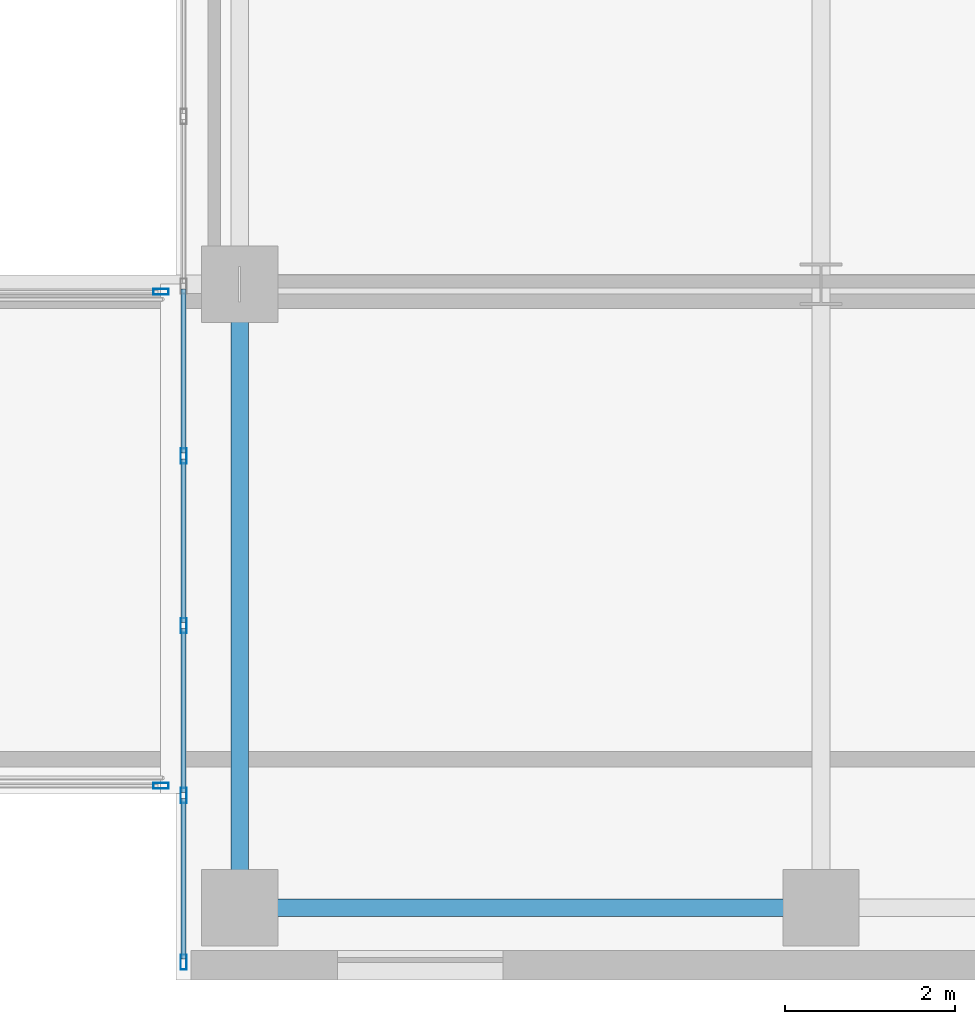
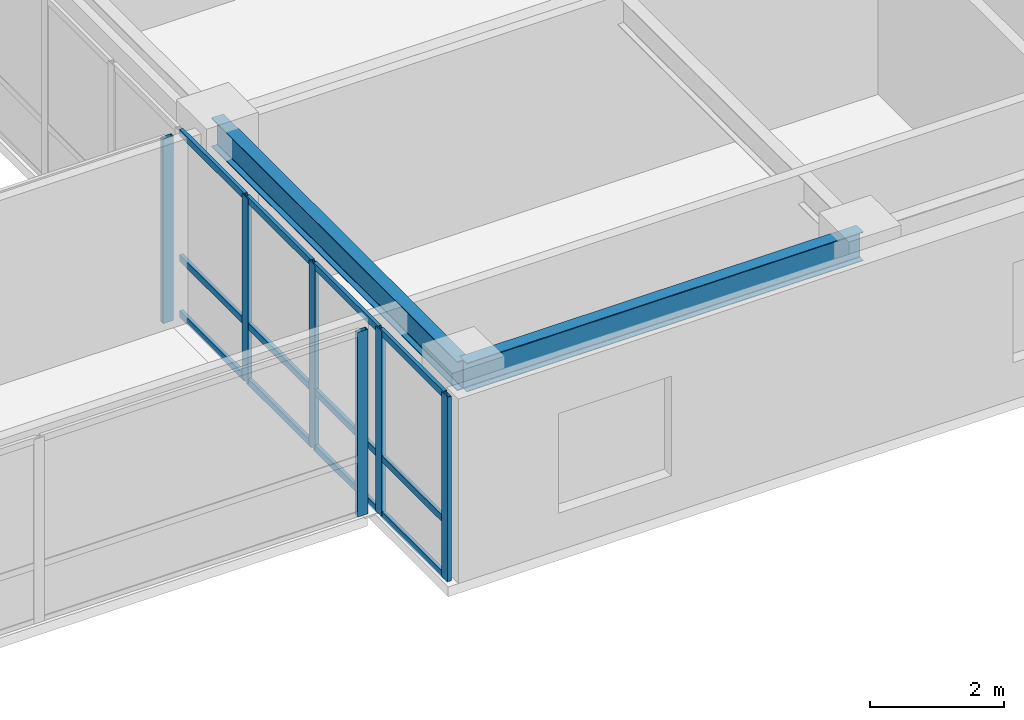
# One storey, part 5 of 25: 18 members, 2 beams, 3 elements without a shape of their own.
"""IFC4 building model written with IfcOpenShell, lengths in metres."""

from ifc_helpers import new_model, si_unit, direction, frame, origin, origin_2d, place, context, subcontext, project, spatial, hollow_rectangle, i_section, extrude, source, transform, mapped, material, layer, layer_set, material_profile, profile_set, type_object, type_shapes, element, aggregate, save


model = new_model("IFC4")

# Units and contexts
model_context = context("Model", 3, precision=1e-05, world=origin(), true_north=direction((0.0, 1.0)))
body_context = subcontext(model_context, "Body", "Model", "MODEL_VIEW")
ifc_project = project(units=[si_unit("LENGTHUNIT", "METRE"), si_unit("AREAUNIT", "SQUARE_METRE"), si_unit("VOLUMEUNIT", "CUBIC_METRE"), si_unit("PLANEANGLEUNIT", "RADIAN"), si_unit("MASSUNIT", "GRAM", prefix="KILO")], contexts=[model_context])

# Site, building, storey
site_placement = place(None, origin())
site = spatial("IfcSite", under=ifc_project, at=site_placement, CompositionType="ELEMENT")
building_placement = place(site_placement, origin())
building = spatial("IfcBuilding", under=site, at=building_placement, Name="Tolvann Quenvar Hotel", CompositionType="ELEMENT")
storey_placement = place(building_placement, frame((0.0, 0.0, 78.14990234375)))
storey = spatial("IfcBuildingStorey", under=building, at=storey_placement, Name="L19", CompositionType="ELEMENT", Elevation=78.14990234375)

# Beams
ifc_material_1 = material(Name="Steel Grade 350", Category="steel")
ifc_material_profile_1 = material_profile(ifc_material_1, i_section(OverallWidth=0.208984375, OverallDepth=0.528076171875, WebThickness=0.009521484375, FlangeThickness=0.01318359375, FilletRadius=0.013916015625, at=origin_2d()), Name="530UB82")
ifc_profile_set_1 = profile_set([ifc_material_profile_1], Name="Steel Grade 350")
beam_type_1 = type_object("IfcBeamType", Name="BM_SPAND_530UB82", PredefinedType="SPANDREL", material=ifc_profile_set_1)
shared_shape_1 = source(origin(), body_context, "Body", "SweptSolid", [
    extrude(i_section(OverallWidth=0.208984375, OverallDepth=0.528076171875, WebThickness=0.009521484375, FlangeThickness=0.01318359375, FilletRadius=0.013916015625, at=origin_2d()), origin(), (0.0, 0.0, 1.0), 6.85009765625),
])
type_shapes(beam_type_1, [shared_shape_1])
beam_1_placement = place(storey_placement, frame((34.949951171875, 0.85009765625, 3.106201171875), z_axis=(1.0, 0.0, 0.0), x_axis=(0.0, 1.0, 0.0)))
element("IfcBeam", 1, at=beam_1_placement, inside=storey, type_object=beam_type_1, Name="BM-L19-EW-2-F2-H2", PredefinedType="SPANDREL", context=body_context, shape_type="MappedRepresentation", body=[
    mapped(shared_shape_1, transform((0.0, 0.0, 0.0), x_axis=(1.0, 0.0, 0.0), y_axis=(0.0, 1.0, 0.0), z_axis=(0.0, 0.0, 1.0), scale=1.0)),
])
ifc_material_profile_2 = material_profile(ifc_material_1, i_section(OverallWidth=0.208984375, OverallDepth=0.532958984375, WebThickness=0.01025390625, FlangeThickness=0.015625, FilletRadius=0.013916015625, at=origin_2d()), Name="530UB92")
ifc_profile_set_2 = profile_set([ifc_material_profile_2], Name="Steel Grade 350")
beam_type_2 = type_object("IfcBeamType", Name="BM_GIRD_530UB92", PredefinedType="BEAM", material=ifc_profile_set_2)
shared_shape_2 = source(origin(), body_context, "Body", "SweptSolid", [
    extrude(i_section(OverallWidth=0.208984375, OverallDepth=0.532958984375, WebThickness=0.01025390625, FlangeThickness=0.015625, FilletRadius=0.013916015625, at=origin_2d()), origin(), (0.0, 0.0, 1.0), 7.349853515625),
])
type_shapes(beam_type_2, [shared_shape_2])
beam_2_placement = place(storey_placement, frame((34.949951171875, 0.85009765625, 3.103515625), z_axis=(0.0, 1.0, 0.0), x_axis=(-1.0, 0.0, 0.0)))
element("IfcBeam", 2, at=beam_2_placement, inside=storey, type_object=beam_type_2, Name="BM-L19-NS-F2-F3", PredefinedType="BEAM", context=body_context, shape_type="MappedRepresentation", body=[
    mapped(shared_shape_2, transform((0.0, 0.0, 0.0), x_axis=(1.0, 0.0, 0.0), y_axis=(0.0, 1.0, 0.0), z_axis=(0.0, 0.0, 1.0), scale=1.0)),
])

# Curtain wall, members
ifc_material_2 = material(Name="Thermally broken anodised architectural aluminium 6063-T6 and laminated low-E glass", Category="aluminium")
ifc_layer = layer(ifc_material_2, 0.179931640625)
ifc_layer_set = layer_set([ifc_layer], Name="Thermally broken anodised architectural aluminium 6063-T6 and laminated low-E glass")
curtain_wall_type = type_object("IfcCurtainWallType", Name="CW_SYS_SLOT_03", PredefinedType="USERDEFINED", material=ifc_layer_set)
curtain_wall_1_placement = place(storey_placement, origin())
curtain_wall_1 = element("IfcCurtainWall", 3, at=curtain_wall_1_placement, inside=storey, type_object=curtain_wall_type, Name="Curtain Wall CW-SLOT-03 (CWR-L19-E07)", ObjectType="UNITISED CURTAIN WALL", PredefinedType="USERDEFINED")
ifc_material_3 = material(Name="Anodised architectural aluminium 6063-T6 framing", Category="aluminium")
ifc_material_profile_3 = material_profile(ifc_material_3, hollow_rectangle(XDim=0.070068359375, YDim=0.179931640625, WallThickness=0.00390625, at=origin_2d()), Name="180x70x4RHS")
ifc_profile_set_3 = profile_set([ifc_material_profile_3], Name="Anodised architectural aluminium 6063-T6 framing")
member_type_1 = type_object("IfcMemberType", Name="CW_MULL_180x70", PredefinedType="MULLION", material=ifc_profile_set_3)
shared_shape_3 = source(origin(), body_context, "Body", "SweptSolid", [
    extrude(hollow_rectangle(XDim=0.070068359375, YDim=0.179931640625, WallThickness=0.00390625, at=origin_2d()), origin(), (0.0, 0.0, 1.0), 3.3701171875),
])
type_shapes(member_type_1, [shared_shape_3])
member_1_placement = place(storey_placement, frame((34.2900390625, 6.175048828125, 0.0), z_axis=(0.0, 0.0, 1.0), x_axis=(1.0, 0.0, 0.0)))
member_1 = element("IfcMember", 4, at=member_1_placement, type_object=member_type_1, Name="CW-SLOT-03 mullion 6", PredefinedType="MULLION", context=body_context, shape_type="MappedRepresentation", body=[
    mapped(shared_shape_3, transform((0.0, 0.0, 0.0), x_axis=(1.0, 0.0, 0.0), y_axis=(0.0, 1.0, 0.0), z_axis=(0.0, 0.0, 1.0), scale=1.0)),
])
member_2_placement = place(storey_placement, frame((34.2900390625, 4.175048828125, 0.0), z_axis=(0.0, 0.0, 1.0), x_axis=(1.0, 0.0, 0.0)))
member_2 = element("IfcMember", 5, at=member_2_placement, type_object=member_type_1, Name="CW-SLOT-03 mullion 7", PredefinedType="MULLION", context=body_context, shape_type="MappedRepresentation", body=[
    mapped(shared_shape_3, transform((0.0, 0.0, 0.0), x_axis=(1.0, 0.0, 0.0), y_axis=(0.0, 1.0, 0.0), z_axis=(0.0, 0.0, 1.0), scale=1.0)),
])
member_3_placement = place(storey_placement, frame((34.2900390625, 2.175048828125, 0.0), z_axis=(0.0, 0.0, 1.0), x_axis=(1.0, 0.0, 0.0)))
member_3 = element("IfcMember", 6, at=member_3_placement, type_object=member_type_1, Name="CW-SLOT-03 mullion 8", PredefinedType="MULLION", context=body_context, shape_type="MappedRepresentation", body=[
    mapped(shared_shape_3, transform((0.0, 0.0, 0.0), x_axis=(1.0, 0.0, 0.0), y_axis=(0.0, 1.0, 0.0), z_axis=(0.0, 0.0, 1.0), scale=1.0)),
])
member_4_placement = place(storey_placement, frame((34.2900390625, 0.2099609375, 0.0), z_axis=(0.0, 0.0, 1.0), x_axis=(1.0, 0.0, 0.0)))
member_4 = element("IfcMember", 7, at=member_4_placement, type_object=member_type_1, Name="CW-SLOT-03 mullion 9", PredefinedType="MULLION", context=body_context, shape_type="MappedRepresentation", body=[
    mapped(shared_shape_3, transform((0.0, 0.0, 0.0), x_axis=(1.0, 0.0, 0.0), y_axis=(0.0, 1.0, 0.0), z_axis=(0.0, 0.0, 1.0), scale=1.0)),
])

# Curtain wall, member
curtain_wall_2_placement = place(storey_placement, origin())
curtain_wall_2 = element("IfcCurtainWall", 8, at=curtain_wall_2_placement, inside=storey, type_object=curtain_wall_type, Name="Curtain Wall CW-SLOT-03 (CWR-BRG-L19-S)", ObjectType="UNITISED CURTAIN WALL", PredefinedType="USERDEFINED")
member_5_placement = place(storey_placement, frame((34.02490234375, 2.2900390625, 0.0), z_axis=(0.0, 0.0, 1.0), x_axis=(0.0, 1.0, 0.0)))
member_5 = element("IfcMember", 9, at=member_5_placement, type_object=member_type_1, Name="CW-SLOT-03 mullion 3", PredefinedType="MULLION", context=body_context, shape_type="MappedRepresentation", body=[
    mapped(shared_shape_3, transform((0.0, 0.0, 0.0), x_axis=(1.0, 0.0, 0.0), y_axis=(0.0, 1.0, 0.0), z_axis=(0.0, 0.0, 1.0), scale=1.0)),
])
aggregate(curtain_wall_2, [member_5])

curtain_wall_3_placement = place(storey_placement, origin())
curtain_wall_3 = element("IfcCurtainWall", 10, at=curtain_wall_3_placement, inside=storey, type_object=curtain_wall_type, Name="Curtain Wall CW-SLOT-03 (CWR-BRG-L19-N)", ObjectType="UNITISED CURTAIN WALL", PredefinedType="USERDEFINED")
member_6_placement = place(storey_placement, frame((34.02490234375, 8.110107421875, 0.0), z_axis=(0.0, 0.0, 1.0), x_axis=(0.0, -1.0, 0.0)))
member_6 = element("IfcMember", 11, at=member_6_placement, type_object=member_type_1, Name="CW-SLOT-03 mullion 1", PredefinedType="MULLION", context=body_context, shape_type="MappedRepresentation", body=[
    mapped(shared_shape_3, transform((0.0, 0.0, 0.0), x_axis=(1.0, 0.0, 0.0), y_axis=(0.0, 1.0, 0.0), z_axis=(0.0, 0.0, 1.0), scale=1.0)),
])
aggregate(curtain_wall_3, [member_6])

# Member
ifc_material_profile_4 = material_profile(ifc_material_3, hollow_rectangle(XDim=0.06005859375, YDim=0.1201171875, WallThickness=0.00341796875, at=origin_2d()), Name="120x60x3.5RHS")
ifc_profile_set_4 = profile_set([ifc_material_profile_4], Name="Anodised architectural aluminium 6063-T6 framing")
member_type_2 = type_object("IfcMemberType", Name="CW_TRAN_120x60", PredefinedType="USERDEFINED", material=ifc_profile_set_4)
shared_shape_4 = source(origin(), body_context, "Body", "SweptSolid", [
    extrude(hollow_rectangle(XDim=0.06005859375, YDim=0.1201171875, WallThickness=0.00341796875, at=origin_2d()), origin(), (0.0, 0.0, 1.0), 1.894775390625),
])
member_7_placement = place(storey_placement, frame((34.2900390625, 2.139892578125, 0.030029296875), z_axis=(0.0, -1.0, 0.0), x_axis=(1.0, 0.0, 0.0)))
member_7 = element("IfcMember", 12, at=member_7_placement, type_object=member_type_2, Name="CW-SLOT-03 transom 8.1", ObjectType="TRANSOM", PredefinedType="USERDEFINED", context=body_context, shape_type="MappedRepresentation", body=[
    mapped(shared_shape_4, transform((0.0, 0.0, 0.0), x_axis=(1.0, 0.0, 0.0), y_axis=(0.0, 1.0, 0.0), z_axis=(0.0, 0.0, 1.0), scale=1.0)),
])

member_8_placement = place(storey_placement, frame((34.2900390625, 2.139892578125, 1.050048828125), z_axis=(0.0, -1.0, 0.0), x_axis=(1.0, 0.0, 0.0)))
member_8 = element("IfcMember", 13, at=member_8_placement, type_object=member_type_2, Name="CW-SLOT-03 transom 8.2", ObjectType="TRANSOM", PredefinedType="USERDEFINED", context=body_context, shape_type="MappedRepresentation", body=[
    mapped(shared_shape_4, transform((0.0, 0.0, 0.0), x_axis=(1.0, 0.0, 0.0), y_axis=(0.0, 1.0, 0.0), z_axis=(0.0, 0.0, 1.0), scale=1.0)),
])

member_9_placement = place(storey_placement, frame((34.2900390625, 2.139892578125, 3.340087890625), z_axis=(0.0, -1.0, 0.0), x_axis=(1.0, 0.0, 0.0)))
member_9 = element("IfcMember", 14, at=member_9_placement, type_object=member_type_2, Name="CW-SLOT-03 transom 8.3", ObjectType="TRANSOM", PredefinedType="USERDEFINED", context=body_context, shape_type="MappedRepresentation", body=[
    mapped(shared_shape_4, transform((0.0, 0.0, 0.0), x_axis=(1.0, 0.0, 0.0), y_axis=(0.0, 1.0, 0.0), z_axis=(0.0, 0.0, 1.0), scale=1.0)),
])

shared_shape_5 = source(origin(), body_context, "Body", "SweptSolid", [
    extrude(hollow_rectangle(XDim=0.06005859375, YDim=0.1201171875, WallThickness=0.00341796875, at=origin_2d()), origin(), (0.0, 0.0, 1.0), 1.929931640625),
])
type_shapes(member_type_2, [shared_shape_4, shared_shape_5])
member_10_placement = place(storey_placement, frame((34.2900390625, 8.139892578125, 0.030029296875), z_axis=(0.0, -1.0, 0.0), x_axis=(1.0, 0.0, 0.0)))
member_10 = element("IfcMember", 15, at=member_10_placement, type_object=member_type_2, Name="CW-SLOT-03 transom 5.1", ObjectType="TRANSOM", PredefinedType="USERDEFINED", context=body_context, shape_type="MappedRepresentation", body=[
    mapped(shared_shape_5, transform((0.0, 0.0, 0.0), x_axis=(1.0, 0.0, 0.0), y_axis=(0.0, 1.0, 0.0), z_axis=(0.0, 0.0, 1.0), scale=1.0)),
])

member_11_placement = place(storey_placement, frame((34.2900390625, 8.139892578125, 1.050048828125), z_axis=(0.0, -1.0, 0.0), x_axis=(1.0, 0.0, 0.0)))
member_11 = element("IfcMember", 16, at=member_11_placement, type_object=member_type_2, Name="CW-SLOT-03 transom 5.2", ObjectType="TRANSOM", PredefinedType="USERDEFINED", context=body_context, shape_type="MappedRepresentation", body=[
    mapped(shared_shape_5, transform((0.0, 0.0, 0.0), x_axis=(1.0, 0.0, 0.0), y_axis=(0.0, 1.0, 0.0), z_axis=(0.0, 0.0, 1.0), scale=1.0)),
])

member_12_placement = place(storey_placement, frame((34.2900390625, 8.139892578125, 3.340087890625), z_axis=(0.0, -1.0, 0.0), x_axis=(1.0, 0.0, 0.0)))
member_12 = element("IfcMember", 17, at=member_12_placement, type_object=member_type_2, Name="CW-SLOT-03 transom 5.3", ObjectType="TRANSOM", PredefinedType="USERDEFINED", context=body_context, shape_type="MappedRepresentation", body=[
    mapped(shared_shape_5, transform((0.0, 0.0, 0.0), x_axis=(1.0, 0.0, 0.0), y_axis=(0.0, 1.0, 0.0), z_axis=(0.0, 0.0, 1.0), scale=1.0)),
])

member_13_placement = place(storey_placement, frame((34.2900390625, 6.139892578125, 0.030029296875), z_axis=(0.0, -1.0, 0.0), x_axis=(1.0, 0.0, 0.0)))
member_13 = element("IfcMember", 18, at=member_13_placement, type_object=member_type_2, Name="CW-SLOT-03 transom 6.1", ObjectType="TRANSOM", PredefinedType="USERDEFINED", context=body_context, shape_type="MappedRepresentation", body=[
    mapped(shared_shape_5, transform((0.0, 0.0, 0.0), x_axis=(1.0, 0.0, 0.0), y_axis=(0.0, 1.0, 0.0), z_axis=(0.0, 0.0, 1.0), scale=1.0)),
])

member_14_placement = place(storey_placement, frame((34.2900390625, 6.139892578125, 1.050048828125), z_axis=(0.0, -1.0, 0.0), x_axis=(1.0, 0.0, 0.0)))
member_14 = element("IfcMember", 19, at=member_14_placement, type_object=member_type_2, Name="CW-SLOT-03 transom 6.2", ObjectType="TRANSOM", PredefinedType="USERDEFINED", context=body_context, shape_type="MappedRepresentation", body=[
    mapped(shared_shape_5, transform((0.0, 0.0, 0.0), x_axis=(1.0, 0.0, 0.0), y_axis=(0.0, 1.0, 0.0), z_axis=(0.0, 0.0, 1.0), scale=1.0)),
])

member_15_placement = place(storey_placement, frame((34.2900390625, 6.139892578125, 3.340087890625), z_axis=(0.0, -1.0, 0.0), x_axis=(1.0, 0.0, 0.0)))
member_15 = element("IfcMember", 20, at=member_15_placement, type_object=member_type_2, Name="CW-SLOT-03 transom 6.3", ObjectType="TRANSOM", PredefinedType="USERDEFINED", context=body_context, shape_type="MappedRepresentation", body=[
    mapped(shared_shape_5, transform((0.0, 0.0, 0.0), x_axis=(1.0, 0.0, 0.0), y_axis=(0.0, 1.0, 0.0), z_axis=(0.0, 0.0, 1.0), scale=1.0)),
])

member_16_placement = place(storey_placement, frame((34.2900390625, 4.139892578125, 0.030029296875), z_axis=(0.0, -1.0, 0.0), x_axis=(1.0, 0.0, 0.0)))
member_16 = element("IfcMember", 21, at=member_16_placement, type_object=member_type_2, Name="CW-SLOT-03 transom 7.1", ObjectType="TRANSOM", PredefinedType="USERDEFINED", context=body_context, shape_type="MappedRepresentation", body=[
    mapped(shared_shape_5, transform((0.0, 0.0, 0.0), x_axis=(1.0, 0.0, 0.0), y_axis=(0.0, 1.0, 0.0), z_axis=(0.0, 0.0, 1.0), scale=1.0)),
])

member_17_placement = place(storey_placement, frame((34.2900390625, 4.139892578125, 1.050048828125), z_axis=(0.0, -1.0, 0.0), x_axis=(1.0, 0.0, 0.0)))
member_17 = element("IfcMember", 22, at=member_17_placement, type_object=member_type_2, Name="CW-SLOT-03 transom 7.2", ObjectType="TRANSOM", PredefinedType="USERDEFINED", context=body_context, shape_type="MappedRepresentation", body=[
    mapped(shared_shape_5, transform((0.0, 0.0, 0.0), x_axis=(1.0, 0.0, 0.0), y_axis=(0.0, 1.0, 0.0), z_axis=(0.0, 0.0, 1.0), scale=1.0)),
])

member_18_placement = place(storey_placement, frame((34.2900390625, 4.139892578125, 3.340087890625), z_axis=(0.0, -1.0, 0.0), x_axis=(1.0, 0.0, 0.0)))
member_18 = element("IfcMember", 23, at=member_18_placement, type_object=member_type_2, Name="CW-SLOT-03 transom 7.3", ObjectType="TRANSOM", PredefinedType="USERDEFINED", context=body_context, shape_type="MappedRepresentation", body=[
    mapped(shared_shape_5, transform((0.0, 0.0, 0.0), x_axis=(1.0, 0.0, 0.0), y_axis=(0.0, 1.0, 0.0), z_axis=(0.0, 0.0, 1.0), scale=1.0)),
])

aggregate(curtain_wall_1, [member_1, member_2, member_3, member_4, member_10, member_11, member_12, member_13, member_14, member_15, member_16, member_17, member_18, member_7, member_8, member_9])

save(model, "model.ifc")
